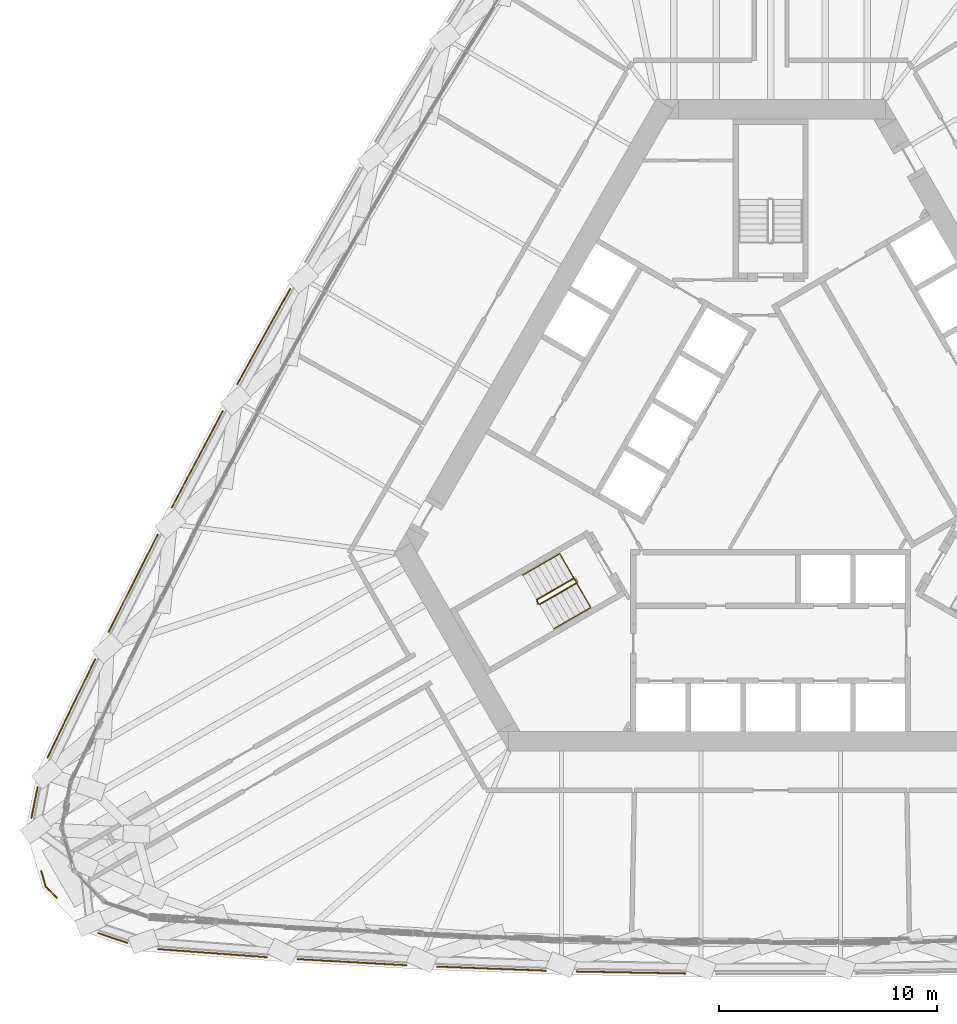
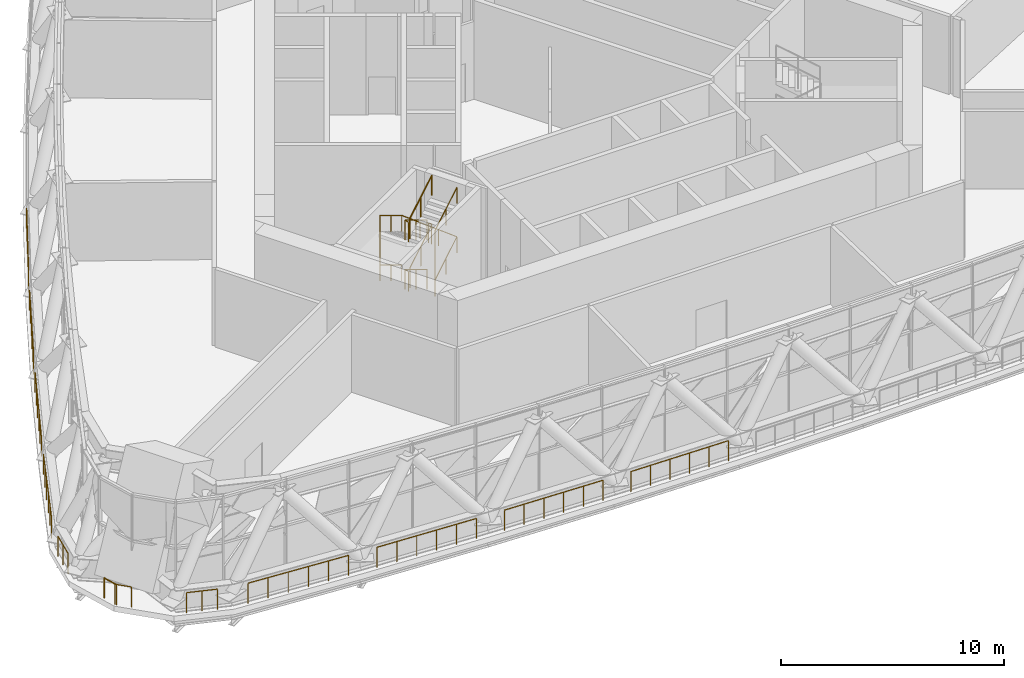
# One storey, part 38 of 43: 17 railings.
"""IFC4 building model written with IfcOpenShell, lengths in metres."""

from ifc_helpers import new_model, si_unit, direction, frame, origin, origin_2d, place, context, subcontext, project, spatial, circle, extrude, material, type_object, element, save


model = new_model("IFC4")

# Units and contexts
model_context = context("Model", 3, precision=1e-05, world=origin(), true_north=direction((0.0, 1.0)))
body_context = subcontext(model_context, "Body", "Model", "MODEL_VIEW")
ifc_project = project(units=[si_unit("LENGTHUNIT", "METRE"), si_unit("AREAUNIT", "SQUARE_METRE"), si_unit("VOLUMEUNIT", "CUBIC_METRE"), si_unit("PLANEANGLEUNIT", "RADIAN"), si_unit("MASSUNIT", "GRAM", prefix="KILO")], contexts=[model_context])

# Site, building, storey
site_placement = place(None, origin())
site = spatial("IfcSite", under=ifc_project, at=site_placement, CompositionType="ELEMENT")
building_placement = place(site_placement, origin())
building = spatial("IfcBuilding", under=site, at=building_placement, Name="Mestral Congress Tower", CompositionType="ELEMENT")
storey_placement = place(building_placement, frame((0.0, 0.0, 78.300048828125)))
storey = spatial("IfcBuildingStorey", under=building, at=storey_placement, Name="L18", CompositionType="ELEMENT", Elevation=78.300048828125)

# Railings
ifc_material_1 = material(Name="Stainless steel", Category="steel")
railing_type_1 = type_object("IfcRailingType", Name="Facade guard 1120 steel and glass", PredefinedType="GUARDRAIL", material=ifc_material_1)
railing_1_placement = place(storey_placement, frame((-28.097412109375, -22.081298828125, 0.0)))
element("IfcRailing", 1, at=railing_1_placement, inside=storey, type_object=railing_type_1, Name="Band guard F0-00", PredefinedType="GUARDRAIL", context=body_context, shape_type="SweptSolid", body=[
    extrude(circle(Radius=0.02392578125, at=origin_2d()), frame((0.0, 0.0, 1.09619140625), z_axis=(0.997269883304, -0.073842940447, 0.0), x_axis=(0.073842940447, 0.997269883304, 0.0)), (0.0, 0.0, 1.0), 5.005615234375),
    extrude(circle(Radius=0.02099609375, at=origin_2d()), origin(), (0.0, 0.0, 1.0), 1.072021484375),
    extrude(circle(Radius=0.02099609375, at=origin_2d()), frame((0.998291015625, -0.073974609375, 0.0)), (0.0, 0.0, 1.0), 1.072021484375),
    extrude(circle(Radius=0.02099609375, at=origin_2d()), frame((1.996826171875, -0.14794921875, 0.0)), (0.0, 0.0, 1.0), 1.072021484375),
    extrude(circle(Radius=0.02099609375, at=origin_2d()), frame((2.9951171875, -0.2216796875, 0.0)), (0.0, 0.0, 1.0), 1.072021484375),
    extrude(circle(Radius=0.02099609375, at=origin_2d()), frame((3.99365234375, -0.295654296875, 0.0)), (0.0, 0.0, 1.0), 1.072021484375),
    extrude(circle(Radius=0.02099609375, at=origin_2d()), frame((4.991943359375, -0.36962890625, 0.0)), (0.0, 0.0, 1.0), 1.072021484375),
])
railing_2_placement = place(storey_placement, frame((-21.701416015625, -22.5419921875, 0.0)))
element("IfcRailing", 2, at=railing_2_placement, inside=storey, type_object=railing_type_1, Name="Band guard F0-01", PredefinedType="GUARDRAIL", context=body_context, shape_type="SweptSolid", body=[
    extrude(circle(Radius=0.02392578125, at=origin_2d()), frame((0.0, 0.0, 1.09619140625), z_axis=(0.998462156136, -0.055437557343, 0.0), x_axis=(0.055437557343, 0.998462156136, 0.0)), (0.0, 0.0, 1.0), 4.998291015625),
    extrude(circle(Radius=0.02099609375, at=origin_2d()), origin(), (0.0, 0.0, 1.0), 1.072021484375),
    extrude(circle(Radius=0.02099609375, at=origin_2d()), frame((0.998046875, -0.055419921875, 0.0)), (0.0, 0.0, 1.0), 1.072021484375),
    extrude(circle(Radius=0.02099609375, at=origin_2d()), frame((1.996337890625, -0.11083984375, 0.0)), (0.0, 0.0, 1.0), 1.072021484375),
    extrude(circle(Radius=0.02099609375, at=origin_2d()), frame((2.994384765625, -0.166259765625, 0.0)), (0.0, 0.0, 1.0), 1.072021484375),
    extrude(circle(Radius=0.02099609375, at=origin_2d()), frame((3.99267578125, -0.2216796875, 0.0)), (0.0, 0.0, 1.0), 1.072021484375),
    extrude(circle(Radius=0.02099609375, at=origin_2d()), frame((4.99072265625, -0.277099609375, 0.0)), (0.0, 0.0, 1.0), 1.072021484375),
])
railing_3_placement = place(storey_placement, frame((-15.304931640625, -22.884033203125, 0.0)))
element("IfcRailing", 3, at=railing_3_placement, inside=storey, type_object=railing_type_1, Name="Band guard F0-02", PredefinedType="GUARDRAIL", context=body_context, shape_type="SweptSolid", body=[
    extrude(circle(Radius=0.02392578125, at=origin_2d()), frame((0.0, 0.0, 1.09619140625), z_axis=(0.999316104543, -0.036977333617, 0.0), x_axis=(0.036977333617, 0.999316104543, 0.0)), (0.0, 0.0, 1.0), 4.998046875),
    extrude(circle(Radius=0.02099609375, at=origin_2d()), origin(), (0.0, 0.0, 1.0), 1.072021484375),
    extrude(circle(Radius=0.02099609375, at=origin_2d()), frame((0.9990234375, -0.036865234375, 0.0)), (0.0, 0.0, 1.0), 1.072021484375),
    extrude(circle(Radius=0.02099609375, at=origin_2d()), frame((1.997802734375, -0.073974609375, 0.0)), (0.0, 0.0, 1.0), 1.072021484375),
    extrude(circle(Radius=0.02099609375, at=origin_2d()), frame((2.996826171875, -0.11083984375, 0.0)), (0.0, 0.0, 1.0), 1.072021484375),
    extrude(circle(Radius=0.02099609375, at=origin_2d()), frame((3.99560546875, -0.14794921875, 0.0)), (0.0, 0.0, 1.0), 1.072021484375),
    extrude(circle(Radius=0.02099609375, at=origin_2d()), frame((4.99462890625, -0.184814453125, 0.0)), (0.0, 0.0, 1.0), 1.072021484375),
])
railing_4_placement = place(storey_placement, frame((-8.903564453125, -23.10791015625, 0.0)))
element("IfcRailing", 4, at=railing_4_placement, inside=storey, type_object=railing_type_1, Name="Band guard F0-03", PredefinedType="GUARDRAIL", context=body_context, shape_type="SweptSolid", body=[
    extrude(circle(Radius=0.02392578125, at=origin_2d()), frame((0.0, 0.0, 1.09619140625), z_axis=(0.999829529479, -0.018463801951, 0.0), x_axis=(0.018463801951, 0.999829529479, 0.0)), (0.0, 0.0, 1.0), 4.998046875),
    extrude(circle(Radius=0.02099609375, at=origin_2d()), origin(), (0.0, 0.0, 1.0), 1.072021484375),
    extrude(circle(Radius=0.02099609375, at=origin_2d()), frame((0.99951171875, -0.0185546875, 0.0)), (0.0, 0.0, 1.0), 1.072021484375),
    extrude(circle(Radius=0.02099609375, at=origin_2d()), frame((1.9990234375, -0.036865234375, 0.0)), (0.0, 0.0, 1.0), 1.072021484375),
    extrude(circle(Radius=0.02099609375, at=origin_2d()), frame((2.998291015625, -0.055419921875, 0.0)), (0.0, 0.0, 1.0), 1.072021484375),
    extrude(circle(Radius=0.02099609375, at=origin_2d()), frame((3.997802734375, -0.07373046875, 0.0)), (0.0, 0.0, 1.0), 1.072021484375),
    extrude(circle(Radius=0.02099609375, at=origin_2d()), frame((4.997314453125, -0.09228515625, 0.0)), (0.0, 0.0, 1.0), 1.072021484375),
])
railing_5_placement = place(storey_placement, frame((-22.045166015625, 8.21728515625, 0.0)))
element("IfcRailing", 5, at=railing_5_placement, inside=storey, type_object=railing_type_1, Name="Band guard F2-05", PredefinedType="GUARDRAIL", context=body_context, shape_type="SweptSolid", body=[
    extrude(circle(Radius=0.02392578125, at=origin_2d()), frame((0.0, 0.0, 1.09619140625), z_axis=(-0.483912572871, -0.875116347589, 0.0), x_axis=(0.875116347589, -0.483912572871, 0.0)), (0.0, 0.0, 1.0), 4.998291015625),
    extrude(circle(Radius=0.02099609375, at=origin_2d()), origin(), (0.0, 0.0, 1.0), 1.072021484375),
    extrude(circle(Radius=0.02099609375, at=origin_2d()), frame((-0.483642578125, -0.874755859375, 0.0)), (0.0, 0.0, 1.0), 1.072021484375),
    extrude(circle(Radius=0.02099609375, at=origin_2d()), frame((-0.967529296875, -1.74951171875, 0.0)), (0.0, 0.0, 1.0), 1.072021484375),
    extrude(circle(Radius=0.02099609375, at=origin_2d()), frame((-1.451171875, -2.62451171875, 0.0)), (0.0, 0.0, 1.0), 1.072021484375),
    extrude(circle(Radius=0.02099609375, at=origin_2d()), frame((-1.93505859375, -3.499267578125, 0.0)), (0.0, 0.0, 1.0), 1.072021484375),
    extrude(circle(Radius=0.02099609375, at=origin_2d()), frame((-2.418701171875, -4.3740234375, 0.0)), (0.0, 0.0, 1.0), 1.072021484375),
])
railing_6_placement = place(storey_placement, frame((-25.13330078125, 2.60546875, 0.0)))
element("IfcRailing", 6, at=railing_6_placement, inside=storey, type_object=railing_type_1, Name="Band guard F2-06", PredefinedType="GUARDRAIL", context=body_context, shape_type="SweptSolid", body=[
    extrude(circle(Radius=0.02392578125, at=origin_2d()), frame((0.0, 0.0, 1.09619140625), z_axis=(-0.467649811159, -0.883913827317, 0.0), x_axis=(0.883913827317, -0.467649811159, 0.0)), (0.0, 0.0, 1.0), 4.998291015625),
    extrude(circle(Radius=0.02099609375, at=origin_2d()), origin(), (0.0, 0.0, 1.0), 1.072021484375),
    extrude(circle(Radius=0.02099609375, at=origin_2d()), frame((-0.467529296875, -0.883544921875, 0.0)), (0.0, 0.0, 1.0), 1.072021484375),
    extrude(circle(Radius=0.02099609375, at=origin_2d()), frame((-0.93505859375, -1.76708984375, 0.0)), (0.0, 0.0, 1.0), 1.072021484375),
    extrude(circle(Radius=0.02099609375, at=origin_2d()), frame((-1.40234375, -2.65087890625, 0.0)), (0.0, 0.0, 1.0), 1.072021484375),
    extrude(circle(Radius=0.02099609375, at=origin_2d()), frame((-1.869873046875, -3.534423828125, 0.0)), (0.0, 0.0, 1.0), 1.072021484375),
    extrude(circle(Radius=0.02099609375, at=origin_2d()), frame((-2.33740234375, -4.41796875, 0.0)), (0.0, 0.0, 1.0), 1.072021484375),
])
railing_7_placement = place(storey_placement, frame((-28.1171875, -3.062255859375, 0.0)))
element("IfcRailing", 7, at=railing_7_placement, inside=storey, type_object=railing_type_1, Name="Band guard F2-07", PredefinedType="GUARDRAIL", context=body_context, shape_type="SweptSolid", body=[
    extrude(circle(Radius=0.02392578125, at=origin_2d()), frame((0.0, 0.0, 1.09619140625), z_axis=(-0.451233929645, -0.892405704115, 0.0), x_axis=(0.892405704115, -0.451233929645, 0.0)), (0.0, 0.0, 1.0), 4.998291015625),
    extrude(circle(Radius=0.02099609375, at=origin_2d()), origin(), (0.0, 0.0, 1.0), 1.072021484375),
    extrude(circle(Radius=0.02099609375, at=origin_2d()), frame((-0.451171875, -0.89208984375, 0.0)), (0.0, 0.0, 1.0), 1.072021484375),
    extrude(circle(Radius=0.02099609375, at=origin_2d()), frame((-0.902099609375, -1.7841796875, 0.0)), (0.0, 0.0, 1.0), 1.072021484375),
    extrude(circle(Radius=0.02099609375, at=origin_2d()), frame((-1.353271484375, -2.67626953125, 0.0)), (0.0, 0.0, 1.0), 1.072021484375),
    extrude(circle(Radius=0.02099609375, at=origin_2d()), frame((-1.80419921875, -3.568359375, 0.0)), (0.0, 0.0, 1.0), 1.072021484375),
    extrude(circle(Radius=0.02099609375, at=origin_2d()), frame((-2.25537109375, -4.46044921875, 0.0)), (0.0, 0.0, 1.0), 1.072021484375),
])
railing_8_placement = place(storey_placement, frame((-30.995849609375, -8.784423828125, 0.0)))
element("IfcRailing", 8, at=railing_8_placement, inside=storey, type_object=railing_type_1, Name="Band guard F2-08", PredefinedType="GUARDRAIL", context=body_context, shape_type="SweptSolid", body=[
    extrude(circle(Radius=0.02392578125, at=origin_2d()), frame((0.0, 0.0, 1.09619140625), z_axis=(-0.434664499056, -0.900592456808, 0.0), x_axis=(0.900592456808, -0.434664499056, 0.0)), (0.0, 0.0, 1.0), 5.005615234375),
    extrude(circle(Radius=0.02099609375, at=origin_2d()), origin(), (0.0, 0.0, 1.0), 1.072021484375),
    extrude(circle(Radius=0.02099609375, at=origin_2d()), frame((-0.43505859375, -0.901611328125, 0.0)), (0.0, 0.0, 1.0), 1.072021484375),
    extrude(circle(Radius=0.02099609375, at=origin_2d()), frame((-0.870361328125, -1.80322265625, 0.0)), (0.0, 0.0, 1.0), 1.072021484375),
    extrude(circle(Radius=0.02099609375, at=origin_2d()), frame((-1.305419921875, -2.704833984375, 0.0)), (0.0, 0.0, 1.0), 1.072021484375),
    extrude(circle(Radius=0.02099609375, at=origin_2d()), frame((-1.74072265625, -3.6064453125, 0.0)), (0.0, 0.0, 1.0), 1.072021484375),
    extrude(circle(Radius=0.02099609375, at=origin_2d()), frame((-2.17578125, -4.508056640625, 0.0)), (0.0, 0.0, 1.0), 1.072021484375),
])
railing_9_placement = place(storey_placement, frame((-33.632080078125, -14.65771484375, 0.0)))
element("IfcRailing", 9, at=railing_9_placement, inside=storey, type_object=railing_type_1, Name="Band guard K2-0", PredefinedType="GUARDRAIL", context=body_context, shape_type="SweptSolid", body=[
    extrude(circle(Radius=0.02392578125, at=origin_2d()), frame((0.0, 0.0, 1.09619140625), z_axis=(-0.198239144745, -0.980153682588, 0.0), x_axis=(0.980153682588, -0.198239144745, 0.0)), (0.0, 0.0, 1.0), 1.4150390625),
    extrude(circle(Radius=0.02099609375, at=origin_2d()), origin(), (0.0, 0.0, 1.0), 1.072021484375),
    extrude(circle(Radius=0.02099609375, at=origin_2d()), frame((-0.14013671875, -0.693359375, 0.0)), (0.0, 0.0, 1.0), 1.072021484375),
    extrude(circle(Radius=0.02099609375, at=origin_2d()), frame((-0.280517578125, -1.386962890625, 0.0)), (0.0, 0.0, 1.0), 1.072021484375),
])
railing_10_placement = place(storey_placement, frame((-33.46484375, -18.505615234375, 0.0)))
element("IfcRailing", 10, at=railing_10_placement, inside=storey, type_object=railing_type_1, Name="Band guard K2-1", PredefinedType="GUARDRAIL", context=body_context, shape_type="SweptSolid", body=[
    extrude(circle(Radius=0.02392578125, at=origin_2d()), frame((0.0, 0.0, 1.09619140625), z_axis=(0.278601074327, -0.960406914481, 0.0), x_axis=(0.960406914481, 0.278601074327, 0.0)), (0.0, 0.0, 1.0), 0.76416015625),
    extrude(circle(Radius=0.02099609375, at=origin_2d()), origin(), (0.0, 0.0, 1.0), 1.072021484375),
    extrude(circle(Radius=0.02099609375, at=origin_2d()), frame((0.212890625, -0.73388671875, 0.0)), (0.0, 0.0, 1.0), 1.072021484375),
])
railing_11_placement = place(storey_placement, frame((-33.28759765625, -19.177490234375, 0.0)))
element("IfcRailing", 11, at=railing_11_placement, inside=storey, type_object=railing_type_1, Name="Band guard K2-2", PredefinedType="GUARDRAIL", context=body_context, shape_type="SweptSolid", body=[
    extrude(circle(Radius=0.02392578125, at=origin_2d()), frame((0.0, 0.0, 1.09619140625), z_axis=(0.692412041027, -0.721502297599, 0.0), x_axis=(0.721502297599, 0.692412041027, 0.0)), (0.0, 0.0, 1.0), 0.763671875),
    extrude(circle(Radius=0.02099609375, at=origin_2d()), origin(), (0.0, 0.0, 1.0), 1.072021484375),
    extrude(circle(Radius=0.02099609375, at=origin_2d()), frame((0.52880859375, -0.551025390625, 0.0)), (0.0, 0.0, 1.0), 1.072021484375),
])
railing_12_placement = place(storey_placement, frame((-30.851318359375, -21.3466796875, 0.0)))
element("IfcRailing", 12, at=railing_12_placement, inside=storey, type_object=railing_type_1, Name="Band guard K2-3", PredefinedType="GUARDRAIL", context=body_context, shape_type="SweptSolid", body=[
    extrude(circle(Radius=0.02392578125, at=origin_2d()), frame((0.0, 0.0, 1.09619140625), z_axis=(0.947851773656, -0.31871149207, 0.0), x_axis=(0.31871149207, 0.947851773656, 0.0)), (0.0, 0.0, 1.0), 1.414794921875),
    extrude(circle(Radius=0.02099609375, at=origin_2d()), origin(), (0.0, 0.0, 1.0), 1.072021484375),
    extrude(circle(Radius=0.02099609375, at=origin_2d()), frame((0.67041015625, -0.2255859375, 0.0)), (0.0, 0.0, 1.0), 1.072021484375),
    extrude(circle(Radius=0.02099609375, at=origin_2d()), frame((1.341064453125, -0.450927734375, 0.0)), (0.0, 0.0, 1.0), 1.072021484375),
])
ifc_material_2 = material(Name="Steel balustrade", Category="steel")
railing_type_2 = type_object("IfcRailingType", Name="Stair guard 1100", PredefinedType="GUARDRAIL", material=ifc_material_2)
railing_13_placement = place(storey_placement, frame((-9.02587890625, -5.066650390625, 0.168701171875)))
element("IfcRailing", 13, at=railing_13_placement, inside=storey, type_object=railing_type_2, Name="L18 ST3 stair guard 1", PredefinedType="GUARDRAIL", context=body_context, shape_type="SweptSolid", body=[
    extrude(circle(Radius=0.02392578125, at=origin_2d()), frame((0.0, 0.0, 1.076171875), z_axis=(-0.741771397394, -0.428228158944, 0.516135484049), x_axis=(0.499970440388, -0.866042469362, 0.0)), (0.0, 0.0, 1.0), 2.28857421875),
    extrude(circle(Radius=0.02392578125, at=origin_2d()), frame((-1.697509765625, -0.97998046875, 2.25732421875), z_axis=(0.275815366736, -0.96121063429, 0.0), x_axis=(0.96121063429, 0.275815366736, 0.0)), (0.0, 0.0, 1.0), 0.206298828125),
    extrude(circle(Radius=0.02099609375, at=origin_2d()), origin(), (0.0, 0.0, 1.0), 1.052001953125),
    extrude(circle(Radius=0.02099609375, at=origin_2d()), frame((-0.8486328125, -0.489990234375, 0.590576171875)), (0.0, 0.0, 1.0), 1.052001953125),
    extrude(circle(Radius=0.02099609375, at=origin_2d()), frame((-1.697509765625, -0.97998046875, 1.18115234375)), (0.0, 0.0, 1.0), 1.052001953125),
    extrude(circle(Radius=0.02099609375, at=origin_2d()), frame((-1.640625, -1.17822265625, 1.18115234375)), (0.0, 0.0, 1.0), 1.052001953125),
])
railing_14_placement = place(storey_placement, frame((-10.598388671875, -6.26318359375, 1.518798828125)))
element("IfcRailing", 14, at=railing_14_placement, inside=storey, type_object=railing_type_2, Name="L18 ST3 stair guard 2", PredefinedType="GUARDRAIL", context=body_context, shape_type="SweptSolid", body=[
    extrude(circle(Radius=0.02392578125, at=origin_2d()), frame((0.0, 0.0, 1.076171875), z_axis=(0.741771397394, 0.428228158944, 0.516135484049), x_axis=(-0.499970440388, 0.866042469362, 0.0)), (0.0, 0.0, 1.0), 2.28857421875),
    extrude(circle(Radius=0.02392578125, at=origin_2d()), frame((1.697509765625, 0.97998046875, 2.25732421875), z_axis=(0.258736085224, 0.965948051503, 0.0), x_axis=(-0.965948051503, 0.258736085224, 0.0)), (0.0, 0.0, 1.0), 0.07080078125),
    extrude(circle(Radius=0.02392578125, at=origin_2d()), frame((1.7158203125, 1.04833984375, 2.25732421875), z_axis=(-0.499816412211, 0.866131372301, 0.0), x_axis=(-0.866131372301, -0.499816412211, 0.0)), (0.0, 0.0, 1.0), 0.14990234375),
    extrude(circle(Radius=0.02099609375, at=origin_2d()), origin(), (0.0, 0.0, 1.0), 1.052001953125),
    extrude(circle(Radius=0.02099609375, at=origin_2d()), frame((0.8486328125, 0.489990234375, 0.590576171875)), (0.0, 0.0, 1.0), 1.052001953125),
    extrude(circle(Radius=0.02099609375, at=origin_2d()), frame((1.697509765625, 0.97998046875, 1.18115234375)), (0.0, 0.0, 1.0), 1.052001953125),
    extrude(circle(Radius=0.02099609375, at=origin_2d()), frame((1.7158203125, 1.04833984375, 1.18115234375)), (0.0, 0.0, 1.0), 1.052001953125),
    extrude(circle(Radius=0.02099609375, at=origin_2d()), frame((1.640869140625, 1.17822265625, 1.18115234375)), (0.0, 0.0, 1.0), 1.052001953125),
])
railing_15_placement = place(storey_placement, frame((-9.02587890625, -5.066650390625, 2.86865234375)))
element("IfcRailing", 15, at=railing_15_placement, inside=storey, type_object=railing_type_2, Name="L18 ST3 stair guard 3", PredefinedType="GUARDRAIL", context=body_context, shape_type="SweptSolid", body=[
    extrude(circle(Radius=0.02392578125, at=origin_2d()), frame((0.0, 0.0, 1.076171875), z_axis=(-0.741730552229, -0.428204578836, 0.516213741153), x_axis=(0.499970440388, -0.866042469362, 0.0)), (0.0, 0.0, 1.0), 2.28857421875),
    extrude(circle(Radius=0.02392578125, at=origin_2d()), frame((-1.697509765625, -0.97998046875, 2.25732421875), z_axis=(0.275815366736, -0.96121063429, 0.0), x_axis=(0.96121063429, 0.275815366736, 0.0)), (0.0, 0.0, 1.0), 0.206298828125),
    extrude(circle(Radius=0.02099609375, at=origin_2d()), origin(), (0.0, 0.0, 1.0), 1.052001953125),
    extrude(circle(Radius=0.02099609375, at=origin_2d()), frame((-0.8486328125, -0.489990234375, 0.5908203125)), (0.0, 0.0, 1.0), 1.052001953125),
    extrude(circle(Radius=0.02099609375, at=origin_2d()), frame((-1.697509765625, -0.97998046875, 1.181396484375)), (0.0, 0.0, 1.0), 1.052001953125),
    extrude(circle(Radius=0.02099609375, at=origin_2d()), frame((-1.640625, -1.17822265625, 1.181396484375)), (0.0, 0.0, 1.0), 1.052001953125),
])
railing_16_placement = place(storey_placement, frame((-10.598388671875, -6.26318359375, 4.21875)))
element("IfcRailing", 16, at=railing_16_placement, inside=storey, type_object=railing_type_2, Name="L18 ST3 stair guard 4", PredefinedType="GUARDRAIL", context=body_context, shape_type="SweptSolid", body=[
    extrude(circle(Radius=0.02392578125, at=origin_2d()), frame((0.0, 0.0, 1.076171875), z_axis=(0.741771397394, 0.428228158944, 0.516135484049), x_axis=(-0.499970440388, 0.866042469362, 0.0)), (0.0, 0.0, 1.0), 2.28857421875),
    extrude(circle(Radius=0.02099609375, at=origin_2d()), origin(), (0.0, 0.0, 1.0), 1.052001953125),
    extrude(circle(Radius=0.02099609375, at=origin_2d()), frame((0.8486328125, 0.489990234375, 0.590576171875)), (0.0, 0.0, 1.0), 1.052001953125),
    extrude(circle(Radius=0.02099609375, at=origin_2d()), frame((1.697509765625, 0.97998046875, 1.18115234375)), (0.0, 0.0, 1.0), 1.052001953125),
])
ifc_material_3 = material(Name="Steel handrail", Category="steel")
railing_type_3 = type_object("IfcRailingType", Name="Stair handrail 900", PredefinedType="HANDRAIL", material=ifc_material_3)
railing_17_placement = place(storey_placement, frame((-9.67578125, -3.94091796875, 0.168701171875)))
element("IfcRailing", 17, at=railing_17_placement, inside=storey, type_object=railing_type_3, Name="L18 ST3 stair handrail 1", PredefinedType="HANDRAIL", context=body_context, shape_type="SweptSolid", body=[
    extrude(circle(Radius=0.02392578125, at=origin_2d()), frame((0.0, 0.0, 0.8759765625), z_axis=(-0.741771397394, -0.428228158944, 0.516135484049), x_axis=(0.499970440388, -0.866042469362, 0.0)), (0.0, 0.0, 1.0), 2.28857421875),
    extrude(circle(Radius=0.02392578125, at=origin_2d()), frame((-1.697509765625, -0.97998046875, 2.05712890625), z_axis=(0.0, 0.0, 1.0), x_axis=(1.0, 0.0, 0.0)), (0.0, 0.0, 1.0), 2.7001953125),
    extrude(circle(Radius=0.02392578125, at=origin_2d()), frame((-1.697509765625, -0.97998046875, 4.75732421875), z_axis=(0.741730552229, 0.428204578836, -0.516213741153), x_axis=(-0.499970440388, 0.866042469362, 0.0)), (0.0, 0.0, 1.0), 2.28857421875),
    extrude(circle(Radius=0.02392578125, at=origin_2d()), frame((0.0, 0.0, 3.57568359375), z_axis=(0.499061461536, -0.86454958467, -0.059090382098), x_axis=(0.866062911188, 0.499935029643, 0.0)), (0.0, 0.0, 1.0), 2.85498046875),
    extrude(circle(Radius=0.02392578125, at=origin_2d()), frame((1.4248046875, -2.46826171875, 3.4072265625), z_axis=(-0.74172340804, -0.428262048313, -0.516176330279), x_axis=(0.500024377727, -0.866011328839, 0.0)), (0.0, 0.0, 1.0), 2.288330078125),
    extrude(circle(Radius=0.02392578125, at=origin_2d()), frame((-0.2724609375, -3.4482421875, 2.22607421875), z_axis=(0.0, 0.0, 1.0), x_axis=(1.0, 0.0, 0.0)), (0.0, 0.0, 1.0), 2.699951171875),
    extrude(circle(Radius=0.02392578125, at=origin_2d()), frame((-0.2724609375, -3.4482421875, 4.92578125), z_axis=(0.74172340804, 0.428262048313, 0.516176330279), x_axis=(-0.500024377727, 0.866011328839, 0.0)), (0.0, 0.0, 1.0), 2.288330078125),
    extrude(circle(Radius=0.02099609375, at=origin_2d()), origin(), (0.0, 0.0, 1.0), 0.851806640625),
    extrude(circle(Radius=0.02099609375, at=origin_2d()), frame((-0.8486328125, -0.489990234375, 0.590576171875)), (0.0, 0.0, 1.0), 0.851806640625),
    extrude(circle(Radius=0.02099609375, at=origin_2d()), frame((-1.697509765625, -0.97998046875, 1.18115234375)), (0.0, 0.0, 1.0), 0.851806640625),
    extrude(circle(Radius=0.02099609375, at=origin_2d()), frame((-1.697509765625, -0.97998046875, 2.081298828125)), (0.0, 0.0, 1.0), 0.851806640625),
    extrude(circle(Radius=0.02099609375, at=origin_2d()), frame((-1.697509765625, -0.97998046875, 2.981201171875)), (0.0, 0.0, 1.0), 0.851806640625),
    extrude(circle(Radius=0.02099609375, at=origin_2d()), frame((-1.697509765625, -0.97998046875, 3.88134765625)), (0.0, 0.0, 1.0), 0.851806640625),
    extrude(circle(Radius=0.02099609375, at=origin_2d()), frame((-0.8486328125, -0.489990234375, 3.29052734375)), (0.0, 0.0, 1.0), 0.851806640625),
    extrude(circle(Radius=0.02099609375, at=origin_2d()), frame((0.0, 0.0, 2.699951171875)), (0.0, 0.0, 1.0), 0.851806640625),
    extrude(circle(Radius=0.02099609375, at=origin_2d()), frame((0.474853515625, -0.82275390625, 2.643798828125)), (0.0, 0.0, 1.0), 0.851806640625),
    extrude(circle(Radius=0.02099609375, at=origin_2d()), frame((0.949951171875, -1.6455078125, 2.58740234375)), (0.0, 0.0, 1.0), 0.851806640625),
    extrude(circle(Radius=0.02099609375, at=origin_2d()), frame((1.4248046875, -2.46826171875, 2.53125)), (0.0, 0.0, 1.0), 0.851806640625),
    extrude(circle(Radius=0.02099609375, at=origin_2d()), frame((0.576171875, -2.958251953125, 1.940673828125)), (0.0, 0.0, 1.0), 0.851806640625),
    extrude(circle(Radius=0.02099609375, at=origin_2d()), frame((-0.2724609375, -3.4482421875, 1.35009765625)), (0.0, 0.0, 1.0), 0.851806640625),
    extrude(circle(Radius=0.02099609375, at=origin_2d()), frame((-0.2724609375, -3.4482421875, 2.25)), (0.0, 0.0, 1.0), 0.851806640625),
    extrude(circle(Radius=0.02099609375, at=origin_2d()), frame((-0.2724609375, -3.4482421875, 3.150146484375)), (0.0, 0.0, 1.0), 0.851806640625),
    extrude(circle(Radius=0.02099609375, at=origin_2d()), frame((-0.2724609375, -3.4482421875, 4.050048828125)), (0.0, 0.0, 1.0), 0.851806640625),
    extrude(circle(Radius=0.02099609375, at=origin_2d()), frame((0.576171875, -2.958251953125, 4.640625)), (0.0, 0.0, 1.0), 0.851806640625),
    extrude(circle(Radius=0.02099609375, at=origin_2d()), frame((1.4248046875, -2.46826171875, 5.231201171875)), (0.0, 0.0, 1.0), 0.851806640625),
])

save(model, "model.ifc")
